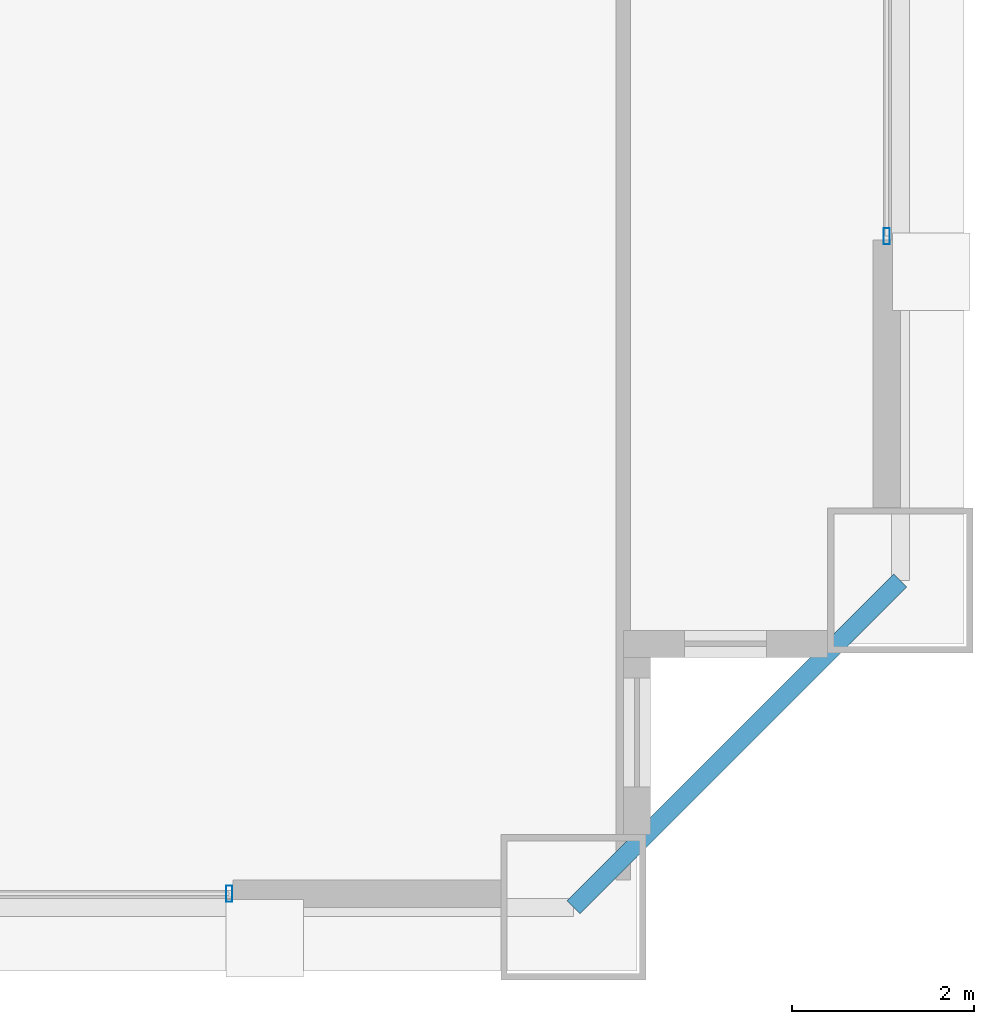
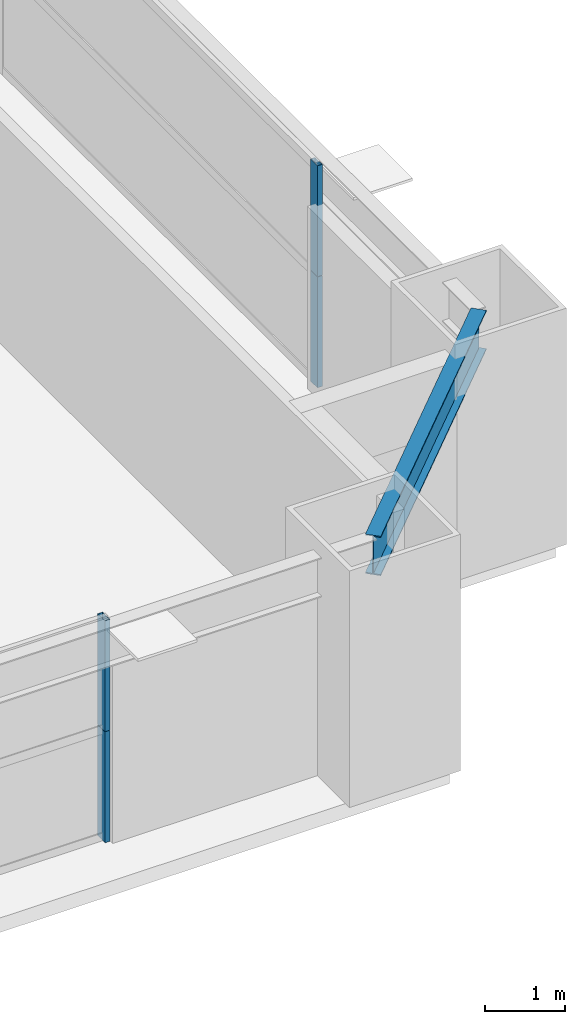
# One storey, part 16 of 39: 4 members, 1 beam, 2 elements without a shape of their own.
"""IFC4 building model written with IfcOpenShell, lengths in metres."""

from ifc_helpers import new_model, si_unit, direction, frame, origin, origin_2d, place, context, subcontext, project, spatial, hollow_rectangle, i_section, extrude, source, transform, mapped, material, layer, layer_set, material_profile, profile_set, type_object, element, aggregate, save


model = new_model("IFC4")

# Units and contexts
model_context = context("Model", 3, precision=1e-05, world=origin(), true_north=direction((0.0, 1.0)))
body_context = subcontext(model_context, "Body", "Model", "MODEL_VIEW")
ifc_project = project(units=[si_unit("LENGTHUNIT", "METRE"), si_unit("AREAUNIT", "SQUARE_METRE"), si_unit("VOLUMEUNIT", "CUBIC_METRE"), si_unit("PLANEANGLEUNIT", "RADIAN"), si_unit("MASSUNIT", "GRAM", prefix="KILO"), si_unit("THERMODYNAMICTEMPERATUREUNIT", "KELVIN"), si_unit("POWERUNIT", "WATT")], contexts=[model_context])

# Site, building, storey
site_placement = place(None, origin())
site = spatial("IfcSite", under=ifc_project, at=site_placement, CompositionType="ELEMENT")
building_placement = place(site_placement, origin())
building = spatial("IfcBuilding", under=site, at=building_placement, Name="Yuzanri Waterfront Tower", CompositionType="ELEMENT")
storey_placement = place(building_placement, frame((0.0, 0.0, 141.60009765625)))
storey = spatial("IfcBuildingStorey", under=building, at=storey_placement, Name="L37", CompositionType="ELEMENT", Elevation=141.60009765625)

# Beam
ifc_material_1 = material(Name="Steel Q355B", Category="steel")
ifc_material_profile_1 = material_profile(ifc_material_1, i_section(OverallWidth=0.199951171875, OverallDepth=0.60009765625, WebThickness=0.010986328125, FlangeThickness=0.01708984375, at=origin_2d()), Name="HN 600x200x11x17")
ifc_profile_set_1 = profile_set([ifc_material_profile_1], Name="Steel Q355B")
beam_type = type_object("IfcBeamType", Name="Perimeter Spandrel Q355B HN 600x200", PredefinedType="SPANDREL", material=ifc_profile_set_1)
shared_shape_1 = source(origin(), body_context, "Body", "SweptSolid", [
    extrude(i_section(OverallWidth=0.199951171875, OverallDepth=0.60009765625, WebThickness=0.010986328125, FlangeThickness=0.01708984375, at=origin_2d()), origin(), (0.0, 0.0, 1.0), 5.09130859375),
])
beam_placement = place(storey_placement, frame((57.0, 2.199951171875, 3.079833984375), z_axis=(0.707106781187, 0.707106781187, 0.0), x_axis=(-0.707106781187, 0.707106781187, 0.0)))
element("IfcBeam", 1, at=beam_placement, inside=storey, type_object=beam_type, Name="L37 Perimeter Spandrel S3-E1", PredefinedType="SPANDREL", context=body_context, shape_type="MappedRepresentation", body=[
    mapped(shared_shape_1, transform((0.0, 0.0, 0.0), scale=1.0)),
])

# Curtain wall, members
ifc_material_2 = material(Name="Anodized Architectural Bronze", Category="metal")
ifc_layer = layer(ifc_material_2, 0.159912109375)
ifc_layer_set = layer_set([ifc_layer], Name="Anodized Architectural Bronze")
curtain_wall_type = type_object("IfcCurtainWallType", Name="Anodized Bronze Hotel Upper-Tier Solar-Control Unitized Curtain Wall 7800", PredefinedType="NOTDEFINED", material=ifc_layer_set)
curtain_wall_1_placement = place(storey_placement, origin())
curtain_wall_1 = element("IfcCurtainWall", 2, at=curtain_wall_1_placement, inside=storey, type_object=curtain_wall_type, Name="L37 Curtain Wall CW-L37-SR", PredefinedType="NOTDEFINED")
ifc_material_3 = material(Name="Anodized Architectural Bronze", Category="metal")
ifc_material_profile_2 = material_profile(ifc_material_3, hollow_rectangle(XDim=0.070068359375, YDim=0.179931640625, WallThickness=0.00390625, at=origin_2d()), Name="CWM 70x180")
ifc_profile_set_2 = profile_set([ifc_material_profile_2], Name="Anodized Architectural Bronze")
member_type = type_object("IfcMemberType", Name="Anodized Bronze Standard Curtain-Wall Mullion 70x180", PredefinedType="MULLION", material=ifc_profile_set_2)
shared_shape_2 = source(origin(), body_context, "Body", "SweptSolid", [
    extrude(hollow_rectangle(XDim=0.070068359375, YDim=0.179931640625, WallThickness=0.00390625, at=origin_2d()), origin(), (0.0, 0.0, 1.0), 1.68798828125),
])
member_1_placement = place(storey_placement, frame((53.2099609375, 2.35009765625, 0.0), z_axis=(0.0, 0.0, 1.0), x_axis=(1.0, 0.0, 0.0)))
member_1 = element("IfcMember", 3, at=member_1_placement, type_object=member_type, Name="CW-L37-SR Lower Mullion 02", PredefinedType="MULLION", context=body_context, shape_type="MappedRepresentation", body=[
    mapped(shared_shape_2, transform((0.0, 0.0, 0.0), scale=1.0)),
])
member_2_placement = place(storey_placement, frame((53.2099609375, 2.35009765625, 1.69189453125), z_axis=(0.0, 0.0, 1.0), x_axis=(1.0, 0.0, 0.0)))
member_2 = element("IfcMember", 4, at=member_2_placement, type_object=member_type, Name="CW-L37-SR Upper Mullion 02", PredefinedType="MULLION", context=body_context, shape_type="MappedRepresentation", body=[
    mapped(shared_shape_2, transform((0.0, 0.0, 0.0), scale=1.0)),
])
aggregate(curtain_wall_1, [member_1, member_2])

curtain_wall_2_placement = place(storey_placement, origin())
curtain_wall_2 = element("IfcCurtainWall", 5, at=curtain_wall_2_placement, inside=storey, type_object=curtain_wall_type, Name="L37 Curtain Wall CW-L37-EL", PredefinedType="NOTDEFINED")
member_3_placement = place(storey_placement, frame((60.449951171875, 9.590087890625, 0.0), z_axis=(0.0, 0.0, 1.0), x_axis=(1.0, 0.0, 0.0)))
member_3 = element("IfcMember", 6, at=member_3_placement, type_object=member_type, Name="CW-L37-EL Lower Mullion 00", PredefinedType="MULLION", context=body_context, shape_type="MappedRepresentation", body=[
    mapped(shared_shape_2, transform((0.0, 0.0, 0.0), scale=1.0)),
])
member_4_placement = place(storey_placement, frame((60.449951171875, 9.590087890625, 1.69189453125), z_axis=(0.0, 0.0, 1.0), x_axis=(1.0, 0.0, 0.0)))
member_4 = element("IfcMember", 7, at=member_4_placement, type_object=member_type, Name="CW-L37-EL Upper Mullion 00", PredefinedType="MULLION", context=body_context, shape_type="MappedRepresentation", body=[
    mapped(shared_shape_2, transform((0.0, 0.0, 0.0), scale=1.0)),
])
aggregate(curtain_wall_2, [member_3, member_4])

save(model, "model.ifc")
